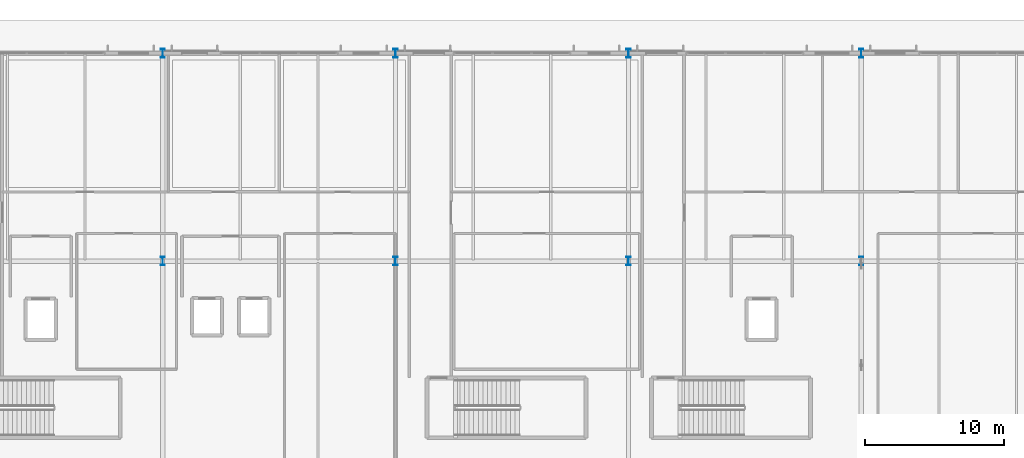
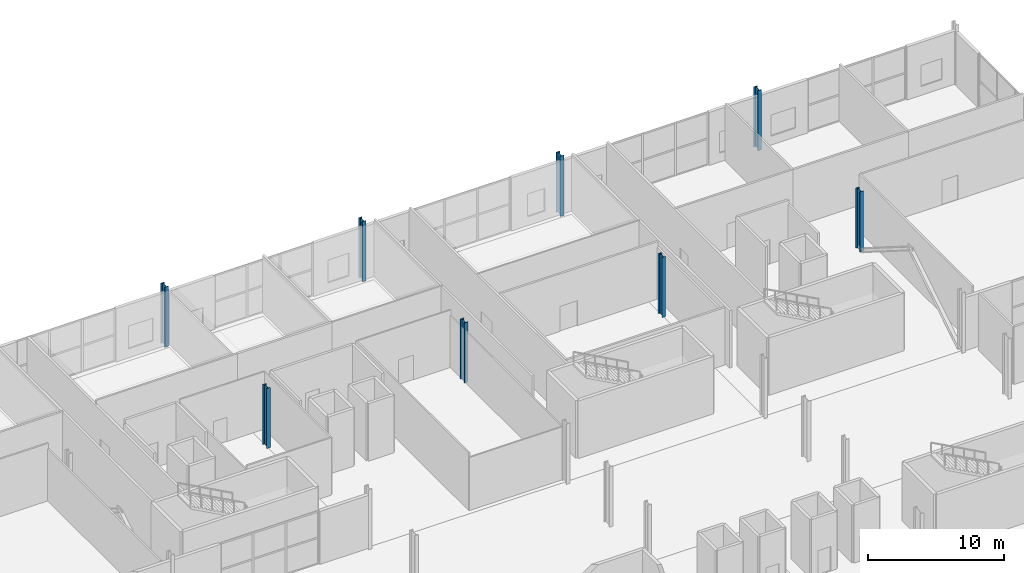
# One storey, part 11 of 87: 8 columns.
"""IFC4 building model written with IfcOpenShell, lengths in metres."""

from ifc_helpers import new_model, si_unit, direction, frame, origin, origin_2d, place, context, subcontext, project, spatial, i_section, extrude, material, material_profile, profile_set, type_object, element, save


model = new_model("IFC4")

# Units and contexts
model_context = context("Model", 3, precision=1e-05, world=origin(), true_north=direction((0.0, 1.0)))
body_context = subcontext(model_context, "Body", "Model", "MODEL_VIEW")
ifc_project = project(units=[si_unit("LENGTHUNIT", "METRE"), si_unit("AREAUNIT", "SQUARE_METRE"), si_unit("VOLUMEUNIT", "CUBIC_METRE"), si_unit("PLANEANGLEUNIT", "RADIAN"), si_unit("MASSUNIT", "GRAM", prefix="KILO")], contexts=[model_context])

# Site, building, storey
site_placement = place(None, origin())
site = spatial("IfcSite", under=ifc_project, at=site_placement, CompositionType="ELEMENT")
building_placement = place(site_placement, origin())
building = spatial("IfcBuilding", under=site, at=building_placement, Name="Kimbaza Rail Terminus", CompositionType="ELEMENT")
storey_placement = place(building_placement, origin())
storey = spatial("IfcBuildingStorey", under=building, at=storey_placement, Name="L00", CompositionType="ELEMENT", Elevation=0.0)

# Columns
ifc_material = material(Name="Steel S355", Category="steel")
ifc_material_profile = material_profile(ifc_material, i_section(OverallWidth=0.304931640625, OverallDepth=0.6201171875, WebThickness=0.02099609375, FlangeThickness=0.0400390625, FilletRadius=0.027099609375, at=origin_2d()), Name="HEM 600")
ifc_profile_set = profile_set([ifc_material_profile], Name="Steel S355")
column_type = type_object("IfcColumnType", Name="STR-COL-HEM600", PredefinedType="COLUMN", material=ifc_profile_set)
for number, where, z_axis, x_axis, name in (
    (1, (88.800048828125, 118.0, 0.0), (0.0, 0.0, 1.0), (1.0, 0.0, 0.0), "Operations Column L00 (2,1)"),
    (2, (88.800048828125, 133.0, 0.0), (0.0, 0.0, 1.0), (1.0, 0.0, 0.0), "Operations Column L00 (2,2)"),
    (3, (105.60009765625, 118.0, 0.0), (0.0, 0.0, 1.0), (1.0, 0.0, 0.0), "Operations Column L00 (3,1)"),
    (4, (105.60009765625, 133.0, 0.0), (0.0, 0.0, 1.0), (1.0, 0.0, 0.0), "Operations Column L00 (3,2)"),
    (5, (122.39990234375, 118.0, 0.0), (0.0, 0.0, 1.0), (1.0, 0.0, 0.0), "Operations Column L00 (4,1)"),
    (6, (122.39990234375, 133.0, 0.0), (0.0, 0.0, 1.0), (1.0, 0.0, 0.0), "Operations Column L00 (4,2)"),
    (7, (139.199951171875, 118.0, 0.0), (0.0, 0.0, 1.0), (1.0, 0.0, 0.0), "Operations Column L00 (5,1)"),
    (8, (139.199951171875, 133.0, 0.0), (0.0, 0.0, 1.0), (1.0, 0.0, 0.0), "Operations Column L00 (5,2)"),
):
    element("IfcColumn", number, at=place(storey_placement, frame(where, z_axis=z_axis, x_axis=x_axis)), inside=storey, type_object=column_type, Name=name, PredefinedType="COLUMN", context=body_context, shape_type="SweptSolid", body=[
        extrude(i_section(OverallWidth=0.304931640625, OverallDepth=0.6201171875, WebThickness=0.02099609375, FlangeThickness=0.0400390625, FilletRadius=0.027099609375, at=origin_2d()), origin(), (0.0, 0.0, 1.0), 5.39990234375),
    ])

save(model, "model.ifc")
